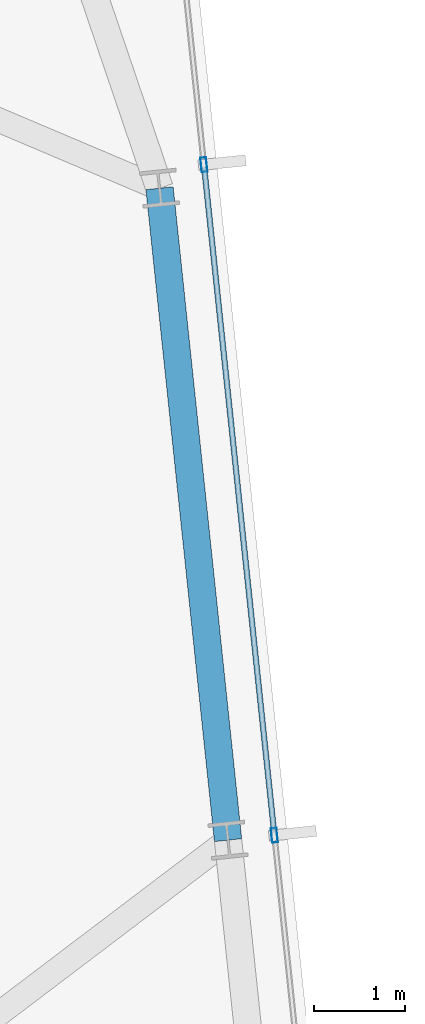
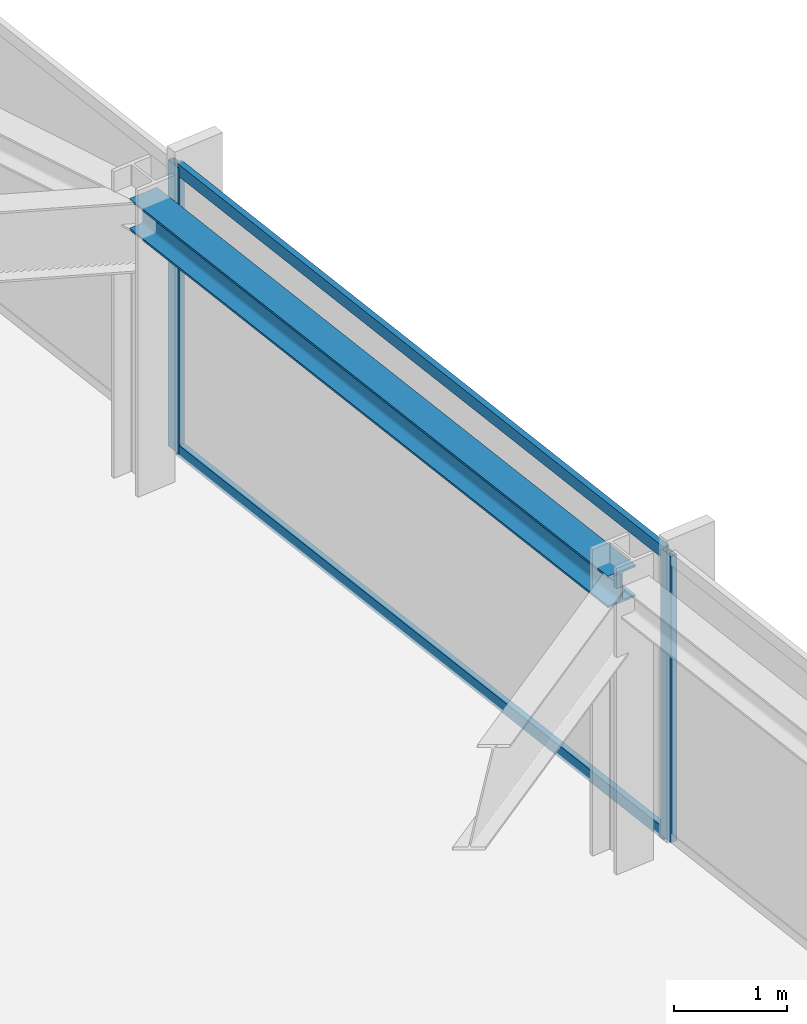
# One storey, part 19 of 33: 4 members, 1 beam, 1 element without a shape of its own.
"""IFC4 building model written with IfcOpenShell, lengths in metres."""

import ifcopenshell
import ifcopenshell.guid

model = None  # the IFC model being written
_history = None  # IfcOwnerHistory: only IFC2X3 demands one
_inside = {}  # id of a spatial element -> (the spatial element, [elements in it])
_under = {}  # id of a project, library or spatial element -> (it, [spatial elements below it])
_declared = {}  # id of a project -> (the project, [libraries it declares])
_typed = {}  # id of a type object -> (the type object, [elements of that type])
_made_of = {}  # id of a material, layer set ... -> (it, [elements and type objects made of it])


def new_model(schema):
    """Start an empty IFC model of exactly this schema.

    Asked for "IFC4X3", IfcOpenShell would pick the latest addendum, in which some entities
    have other attributes; the version numbers below select the first issue.
    IFC2X3 requires an IfcOwnerHistory on every rooted entity: one is made here for all.
    """
    global model, _history
    if schema == "IFC4X3":
        model = ifcopenshell.file(schema_version=(4, 3, 0, 0))
    else:
        model = ifcopenshell.file(schema=schema)
    _inside.clear()
    _under.clear()
    _declared.clear()
    _typed.clear()
    _made_of.clear()
    _history = None
    if model.schema == "IFC2X3":
        org = make("IfcOrganization", Name="unknown")
        user = make(
            "IfcPersonAndOrganization",
            ThePerson=make("IfcPerson", FamilyName="unknown"),
            TheOrganization=org,
        )
        app = make(
            "IfcApplication",
            ApplicationDeveloper=org,
            Version="unknown",
            ApplicationFullName="unknown",
            ApplicationIdentifier="unknown",
        )
        _history = make(
            "IfcOwnerHistory",
            OwningUser=user,
            OwningApplication=app,
            ChangeAction="ADDED",
            CreationDate=0,
        )
    return model


def make(cls, **values):
    """One entity of the class cls with the attributes given. An attribute that is None is left unset."""
    return model.create_entity(
        cls, **{name: value for name, value in values.items() if value is not None}
    )


def rooted(cls, **values):
    """An entity with a GlobalId (a new one), such as an element, a storey or a relation."""
    return make(cls, GlobalId=ifcopenshell.guid.new(), OwnerHistory=_history, **values)


def si_unit(unit_type, name, prefix=None):
    """IfcSIUnit, for example si_unit("LENGTHUNIT", "METRE", prefix="MILLI")."""
    return make("IfcSIUnit", UnitType=unit_type, Prefix=prefix, Name=name)


def assignment(units):
    """IfcUnitAssignment: the units of a project."""
    return None if units is None else make("IfcUnitAssignment", Units=units)


def point(xyz):
    """IfcCartesianPoint."""
    return None if xyz is None else make("IfcCartesianPoint", Coordinates=xyz)


def direction(xyz):
    """IfcDirection."""
    return None if xyz is None else make("IfcDirection", DirectionRatios=xyz)


def frame(location, z_axis=None, x_axis=None):
    """IfcAxis2Placement3D, a coordinate frame: its origin and axes. An axis left out is left unset."""
    return make(
        "IfcAxis2Placement3D",
        Location=point(location),
        Axis=direction(z_axis),
        RefDirection=direction(x_axis),
    )


def frame_2d(location, x_axis=None):
    """IfcAxis2Placement2D, a coordinate frame in the plane: its origin and x axis."""
    return make(
        "IfcAxis2Placement2D", Location=point(location), RefDirection=direction(x_axis)
    )


def origin():
    """The frame at (0, 0, 0) with its axes left unset."""
    return frame((0.0, 0.0, 0.0))


def origin_2d():
    """The frame at (0, 0) in the plane with its x axis left unset."""
    return frame_2d((0.0, 0.0))


def place(relative_to, where):
    """IfcLocalPlacement: puts the frame where relative to a parent placement (None: the world)."""
    return make(
        "IfcLocalPlacement", PlacementRelTo=relative_to, RelativePlacement=where
    )


def context(
    kind, dimensions, precision=None, world=None, true_north=None, identifier=None
):
    """IfcGeometricRepresentationContext, for example the 3D "Model" context."""
    return make(
        "IfcGeometricRepresentationContext",
        ContextIdentifier=identifier,
        ContextType=kind,
        CoordinateSpaceDimension=dimensions,
        Precision=precision,
        WorldCoordinateSystem=world,
        TrueNorth=true_north,
    )


def subcontext(parent, identifier, kind, view, scale=None):
    """IfcGeometricRepresentationSubContext, for example "Body" below "Model"."""
    return make(
        "IfcGeometricRepresentationSubContext",
        ContextIdentifier=identifier,
        ContextType=kind,
        ParentContext=parent,
        TargetScale=scale,
        TargetView=view,
    )


def project(units=None, contexts=None):
    """IfcProject with its units and contexts."""
    return rooted(
        "IfcProject",
        Name="project",
        RepresentationContexts=contexts,
        UnitsInContext=assignment(units),
    )


def spatial(cls, under=None, at=None, **own):
    """A site, building, storey or space (cls), placed at a placement, below another one or the project."""
    s = rooted(cls, ObjectPlacement=at, **own)
    if under is not None:
        _under.setdefault(under.id(), (under, []))[1].append(s)
    return s


def profile(cls, at=None, kind="AREA", **sizes):
    """A parametric profile (cls). Its sizes go by their IFC names, for example OverallWidth=200.0."""
    return make(cls, ProfileType=kind, Position=at, **sizes)


def hollow_rectangle(**sizes):
    """IfcRectangleHollowProfileDef."""
    return profile("IfcRectangleHollowProfileDef", **sizes)


def i_section(**sizes):
    """IfcIShapeProfileDef."""
    return profile("IfcIShapeProfileDef", **sizes)


def extrude(swept, where, along, depth):
    """IfcExtrudedAreaSolid: the profile swept, set in the frame where, extruded along a direction by depth."""
    return make(
        "IfcExtrudedAreaSolid",
        SweptArea=swept,
        Position=where,
        ExtrudedDirection=direction(along),
        Depth=depth,
    )


def shape(context_of_items, identifier, shape_type, items):
    """IfcShapeRepresentation: the items that make up one representation, for example the "Body"."""
    return make(
        "IfcShapeRepresentation",
        ContextOfItems=context_of_items,
        RepresentationIdentifier=identifier,
        RepresentationType=shape_type,
        Items=items,
    )


def material(Name=None, Category=None):
    """IfcMaterial."""
    return make("IfcMaterial", Name=Name, Category=Category)


def material_profile(
    of_material, cross_section, Name=None, Category=None, Priority=None
):
    """IfcMaterialProfile: a cross section and its material."""
    return make(
        "IfcMaterialProfile",
        Name=Name,
        Material=of_material,
        Profile=cross_section,
        Priority=Priority,
        Category=Category,
    )


def profile_set(profiles, Name=None, composite=None):
    """IfcMaterialProfileSet."""
    return make(
        "IfcMaterialProfileSet",
        Name=Name,
        MaterialProfiles=profiles,
        CompositeProfile=composite,
    )


def made_of(thing, what):
    """Note that an element or type object is made of a material, layer set ...; save() writes the relation."""
    if what is not None:
        _made_of.setdefault(what.id(), (what, []))[1].append(thing)
    return thing


def type_object(cls, material=None, **own):
    """A type object (cls), such as IfcWallType, which elements share."""
    return made_of(rooted(cls, **own), material)


def element(
    cls,
    number,
    at=None,
    inside=None,
    cuts=None,
    type_object=None,
    material=None,
    context=None,
    identifier="Body",
    shape_type=None,
    held_by="IfcProductDefinitionShape",
    body=None,
    shapes=None,
    **own,
):
    """One element of the class cls, such as IfcWall. Its Tag is "e" and its number.

    at: its placement. inside: the storey or other place that contains it. cuts: it is an
    opening in that element (IfcRelVoidsElement). A single representation is given by context,
    identifier, shape_type and body (its items); several are given by shapes. held_by: the class
    of the entity that holds the representations. save() writes the other relations.
    """
    e = rooted(cls, Tag="e%d" % number, ObjectPlacement=at, **own)
    if body is not None:
        shapes = [shape(context, identifier, shape_type, body)]
    if shapes is not None:
        e.Representation = make(held_by, Representations=shapes)
    if inside is not None:
        _inside.setdefault(inside.id(), (inside, []))[1].append(e)
    if cuts is not None:
        rooted(
            "IfcRelVoidsElement", RelatingBuildingElement=cuts, RelatedOpeningElement=e
        )
    if type_object is not None:
        _typed.setdefault(type_object.id(), (type_object, []))[1].append(e)
    return made_of(e, material)


def aggregate(whole, parts):
    """IfcRelAggregates: a whole, such as a stair, and the parts it consists of."""
    return rooted("IfcRelAggregates", RelatingObject=whole, RelatedObjects=parts)


def save(model, path):
    """Write the relations noted so far, then the file.

    IfcRelAggregates (storeys below a building ...), IfcRelContainedInSpatialStructure (elements
    in a storey), IfcRelDefinesByType, IfcRelAssociatesMaterial and IfcRelDeclares: one each for
    every whole, place, type object, material and project.
    """
    for whole, parts in _under.values():
        aggregate(whole, parts)
    for where, things in _inside.values():
        rooted(
            "IfcRelContainedInSpatialStructure",
            RelatedElements=things,
            RelatingStructure=where,
        )
    for kind, things in _typed.values():
        rooted("IfcRelDefinesByType", RelatedObjects=things, RelatingType=kind)
    for what, things in _made_of.values():
        rooted("IfcRelAssociatesMaterial", RelatedObjects=things, RelatingMaterial=what)
    for by, libraries in _declared.values():
        rooted("IfcRelDeclares", RelatingContext=by, RelatedDefinitions=libraries)
    model.write(path)


model = new_model("IFC4")

# Units and contexts
model_context = context("Model", 3, precision=1e-05, world=origin(), true_north=direction((0.0, 1.0)))
body_context = subcontext(model_context, "Body", "Model", "MODEL_VIEW")
ifc_project = project(units=[si_unit("LENGTHUNIT", "METRE"), si_unit("AREAUNIT", "SQUARE_METRE"), si_unit("VOLUMEUNIT", "CUBIC_METRE"), si_unit("PLANEANGLEUNIT", "RADIAN"), si_unit("MASSUNIT", "GRAM", prefix="KILO")], contexts=[model_context])

# Site, building, storey
site_placement = place(None, origin())
site = spatial("IfcSite", under=ifc_project, at=site_placement, CompositionType="ELEMENT")
building_placement = place(site_placement, origin())
building = spatial("IfcBuilding", under=site, at=building_placement, Name="Yelkora Congress Tower", CompositionType="ELEMENT")
storey_placement = place(building_placement, frame((0.0, 0.0, 224.300048828125)))
storey = spatial("IfcBuildingStorey", under=building, at=storey_placement, Name="L62", CompositionType="ELEMENT", Elevation=224.300048828125)

# Beam
ifc_material_1 = material(Name="Steel S355J2", Category="steel")
ifc_material_profile_1 = material_profile(ifc_material_1, i_section(OverallWidth=0.300048828125, OverallDepth=0.340087890625, WebThickness=0.011962890625, FlangeThickness=0.021484375, FilletRadius=0.027099609375, at=origin_2d()), Name="HEB 340")
ifc_profile_set_1 = profile_set([ifc_material_profile_1], Name="Steel S355J2")
beam_type = type_object("IfcBeamType", Name="BM-SPAN-HEB340", PredefinedType="SPANDREL", material=ifc_profile_set_1)
beam_placement = place(storey_placement, frame((69.60400390625, 34.296142578125, 2.909912109375), z_axis=(-0.104528914631, 0.994521847928, 0.0), x_axis=(-0.994521847928, -0.104528914631, 0.0)))
element("IfcBeam", 1, at=beam_placement, inside=storey, type_object=beam_type, Name="L62 Perimeter Beam 11", PredefinedType="SPANDREL", context=body_context, shape_type="SweptSolid", body=[
    extrude(i_section(OverallWidth=0.300048828125, OverallDepth=0.340087890625, WebThickness=0.011962890625, FlangeThickness=0.021484375, FilletRadius=0.027099609375, at=origin_2d()), origin(), (0.0, 0.0, 1.0), 7.175048828125),
])

# Curtain wall, members
ifc_material_2 = material(Name="Anodised aluminium and insulated glass", Category="aluminium")
curtain_wall_type = type_object("IfcCurtainWallType", Name="CW-SYS-B4", PredefinedType="NOTDEFINED", material=ifc_material_2)
curtain_wall_placement = place(storey_placement, origin())
curtain_wall = element("IfcCurtainWall", 2, at=curtain_wall_placement, inside=storey, type_object=curtain_wall_type, Name="L62 Unitised Curtain Wall 15", PredefinedType="NOTDEFINED")
ifc_material_3 = material(Name="Anodised aluminium 6063-T6", Category="aluminium")
ifc_material_profile_2 = material_profile(ifc_material_3, hollow_rectangle(XDim=0.06494140625, YDim=0.159912109375, WallThickness=0.00390625, at=origin_2d()), Name="ALU 65x160x4")
ifc_profile_set_2 = profile_set([ifc_material_profile_2], Name="Anodised aluminium 6063-T6")
member_type_1 = type_object("IfcMemberType", Name="MEM-ML-B4", PredefinedType="MULLION", material=ifc_profile_set_2)
member_1_placement = place(storey_placement, frame((69.33984375, 41.68896484375, 0.0), z_axis=(0.0, 0.0, 1.0), x_axis=(0.994522182968, 0.104525726898, 0.0)))
member_1 = element("IfcMember", 3, at=member_1_placement, type_object=member_type_1, Name="CW-B4 mullion 2", PredefinedType="MULLION", context=body_context, shape_type="SweptSolid", body=[
    extrude(hollow_rectangle(XDim=0.06494140625, YDim=0.159912109375, WallThickness=0.00390625, at=origin_2d()), origin(), (0.0, 0.0, 1.0), 3.079833984375),
])
member_2_placement = place(storey_placement, frame((70.111083984375, 34.349365234375, 0.0), z_axis=(0.0, 0.0, 1.0), x_axis=(0.994522182968, 0.104525726898, 0.0)))
member_2 = element("IfcMember", 4, at=member_2_placement, type_object=member_type_1, Name="CW-B4 mullion 3", PredefinedType="MULLION", context=body_context, shape_type="SweptSolid", body=[
    extrude(hollow_rectangle(XDim=0.06494140625, YDim=0.159912109375, WallThickness=0.00390625, at=origin_2d()), origin(), (0.0, 0.0, 1.0), 3.079833984375),
])
ifc_material_profile_3 = material_profile(ifc_material_3, hollow_rectangle(XDim=0.06005859375, YDim=0.1298828125, WallThickness=0.00390625, at=origin_2d()), Name="ALU 60x130x4")
ifc_profile_set_3 = profile_set([ifc_material_profile_3], Name="Anodised aluminium 6063-T6")
member_type_2 = type_object("IfcMemberType", Name="MEM-TR-B4", PredefinedType="USERDEFINED", material=ifc_profile_set_3)
member_3_placement = place(storey_placement, frame((69.34326171875, 41.65673828125, 0.030029296875), z_axis=(0.104531896307, -0.994521534535, 0.0), x_axis=(0.994521534535, 0.104531896307, 0.0)))
member_3 = element("IfcMember", 5, at=member_3_placement, type_object=member_type_2, Name="CW-B4 transom 2.1", ObjectType="TRANSOM", PredefinedType="USERDEFINED", context=body_context, shape_type="SweptSolid", body=[
    extrude(hollow_rectangle(XDim=0.06005859375, YDim=0.1298828125, WallThickness=0.00390625, at=origin_2d()), origin(), (0.0, 0.0, 1.0), 7.31494140625),
])
member_4_placement = place(storey_placement, frame((69.34326171875, 41.65673828125, 3.050048828125), z_axis=(0.104531896307, -0.994521534535, 0.0), x_axis=(0.994521534535, 0.104531896307, 0.0)))
member_4 = element("IfcMember", 6, at=member_4_placement, type_object=member_type_2, Name="CW-B4 transom 2.2", ObjectType="TRANSOM", PredefinedType="USERDEFINED", context=body_context, shape_type="SweptSolid", body=[
    extrude(hollow_rectangle(XDim=0.06005859375, YDim=0.1298828125, WallThickness=0.00390625, at=origin_2d()), origin(), (0.0, 0.0, 1.0), 7.31494140625),
])
aggregate(curtain_wall, [member_1, member_2, member_3, member_4])

save(model, "model.ifc")
